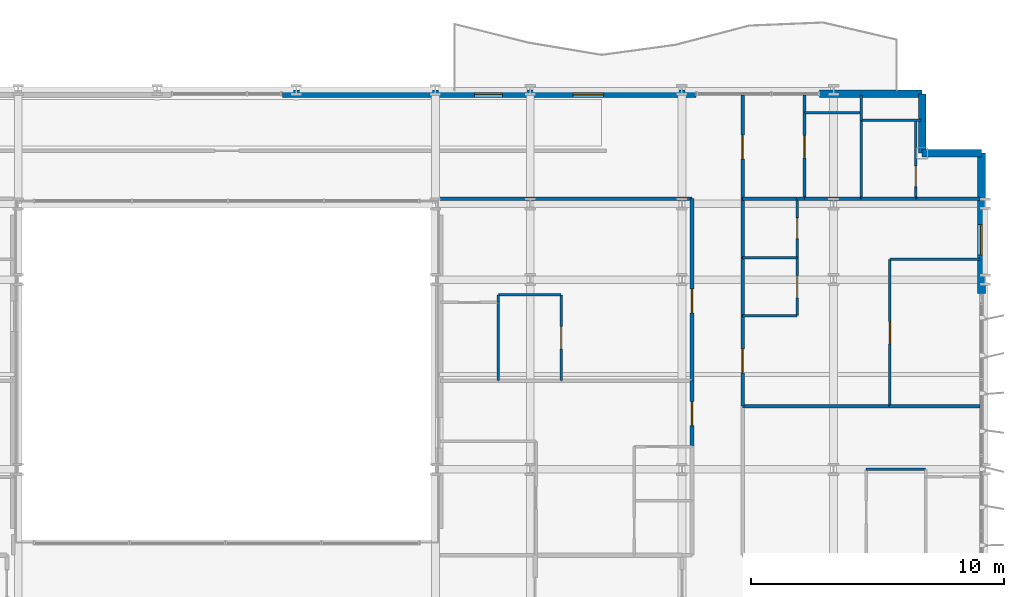
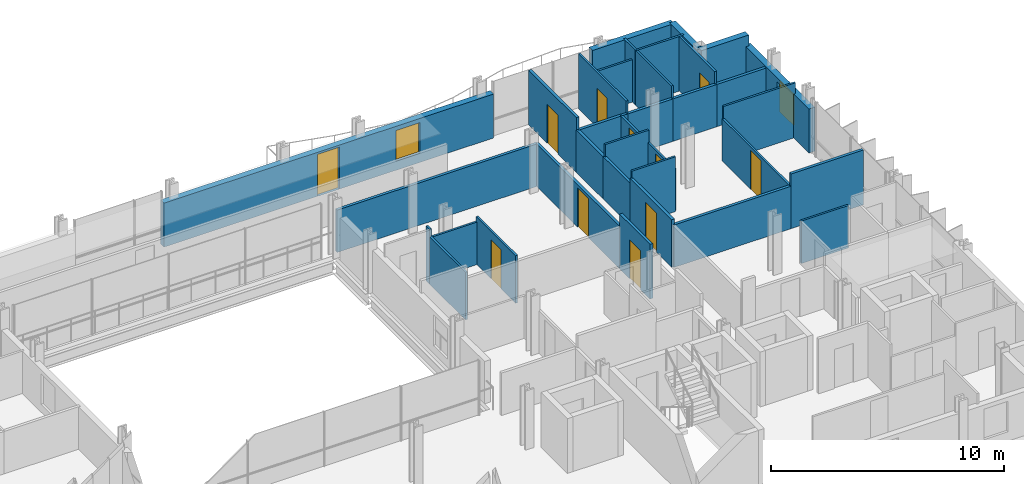
# One storey, part 32 of 38: 36 walls, 11 doors, 2 windows, 13 openings.
"""IFC4 building model written with IfcOpenShell, lengths in metres."""

from ifc_helpers import new_model, si_unit, direction, frame, frame_2d, origin, place, context, subcontext, project, spatial, rectangle, extrude, material, layer, layer_set, type_object, element, fill, save


model = new_model("IFC4")

# Units and contexts
model_context = context("Model", 3, precision=1e-05, world=origin(), true_north=direction((0.0, 1.0)))
body_context = subcontext(model_context, "Body", "Model", "MODEL_VIEW")
ifc_project = project(units=[si_unit("LENGTHUNIT", "METRE"), si_unit("AREAUNIT", "SQUARE_METRE"), si_unit("VOLUMEUNIT", "CUBIC_METRE"), si_unit("PLANEANGLEUNIT", "RADIAN"), si_unit("MASSUNIT", "GRAM", prefix="KILO")], contexts=[model_context])

# Site, building, storey
site_placement = place(None, origin())
site = spatial("IfcSite", under=ifc_project, at=site_placement, CompositionType="ELEMENT")
building_placement = place(site_placement, origin())
building = spatial("IfcBuilding", under=site, at=building_placement, Name="Brevholm Reach", CompositionType="ELEMENT")
storey_placement = place(building_placement, frame((0.0, 0.0, 52.800048828125)))
storey = spatial("IfcBuildingStorey", under=building, at=storey_placement, Name="L14", CompositionType="ELEMENT", Elevation=52.800048828125)

# Walls
ifc_material_1 = material(Name="Concrete C40/50", Category="concrete")
ifc_layer_1 = layer(ifc_material_1, 0.300048828125)
ifc_layer_set_1 = layer_set([ifc_layer_1], Name="Concrete C40/50")
wall_type_1 = type_object("IfcWallType", Name="WAL-EXT-300", PredefinedType="STANDARD", material=ifc_layer_set_1)
for number, where, z_axis, x_axis, name in (
    (1, (59.85009765625, 28.5, 0.0), (0.0, 0.0, 1.0), (-1.0, 0.0, 0.0), "L14 Facade Wall WAL-L14-CNE1"),
    (2, (57.5, 28.5, 0.0), (0.0, 0.0, 1.0), (0.0, 1.0, 0.0), "L14 Facade Wall WAL-L14-CNE2"),
):
    element("IfcWall", number, at=place(storey_placement, frame(where, z_axis=z_axis, x_axis=x_axis)), inside=storey, type_object=wall_type_1, Name=name, PredefinedType="STANDARD", context=body_context, shape_type="SweptSolid", body=[
        extrude(rectangle(XDim=2.35009765625, YDim=0.300048828125, at=frame_2d((1.175048828125, 0.0))), origin(), (0.0, 0.0, 1.0), 2.869873046875),
    ])

# Wall, opening, window
wall_1_placement = place(storey_placement, frame((59.85009765625, 22.949951171875, 0.0), z_axis=(0.0, 0.0, 1.0), x_axis=(0.0, 1.0, 0.0)))
wall_1 = element("IfcWall", 3, at=wall_1_placement, inside=storey, type_object=wall_type_1, Name="L14 Facade Wall WAL-L14-E-N", PredefinedType="STANDARD", context=body_context, shape_type="SweptSolid", body=[
    extrude(rectangle(XDim=5.550048828125, YDim=0.300048828125, at=frame_2d((2.77490234375, 0.0))), origin(), (0.0, 0.0, 1.0), 2.305419921875),
])
opening_1_placement = place(wall_1_placement, frame((1.530029296875, 0.0, 0.486083984375)))
opening_1 = element("IfcOpeningElement", 4, at=opening_1_placement, cuts=wall_1, Name="Opening WN-08", PredefinedType="OPENING", context=body_context, shape_type="SweptSolid", body=[
    extrude(rectangle(XDim=1.199951171875, YDim=1.60009765625, at=frame_2d((0.60009765625, 0.800048828125))), frame((0.0, 0.159912109375, 0.0), z_axis=(0.0, -1.0, 0.0), x_axis=(1.0, 0.0, 0.0)), (0.0, 0.0, 1.0), 0.320068359375),
])
ifc_material_2 = material(Name="Dark Anodised Aluminium and Solar-Control IGU Glass", Category="aluminium")
window_type = type_object("IfcWindowType", Name="WIN-RES-1200", PartitioningType="SINGLE_PANEL", PredefinedType="WINDOW", material=ifc_material_2)
window_1_placement = place(opening_1_placement, origin())
window_1 = element("IfcWindow", 5, at=window_1_placement, inside=storey, type_object=window_type, Name="L14 Window WIN-L14-EN-1", OverallHeight=1.60009765625, OverallWidth=1.199951171875, PartitioningType="SINGLE_PANEL", PredefinedType="WINDOW", context=body_context, shape_type="SweptSolid", body=[
    extrude(rectangle(XDim=1.199951171875, YDim=1.60009765625, at=frame_2d((0.60009765625, 0.800048828125))), frame((0.0, 0.030029296875, 0.0), z_axis=(0.0, -1.0, 0.0), x_axis=(1.0, 0.0, 0.0)), (0.0, 0.0, 1.0), 0.06005859375),
])
fill(opening_1, window_1)

# Wall
wall_2_placement = place(storey_placement, frame((53.449951171875, 30.85009765625, 0.0), z_axis=(0.0, 0.0, 1.0), x_axis=(1.0, 0.0, 0.0)))
element("IfcWall", 6, at=wall_2_placement, inside=storey, type_object=wall_type_1, Name="L14 Facade Wall WAL-L14-NP-E0", PredefinedType="STANDARD", context=body_context, shape_type="SweptSolid", body=[
    extrude(rectangle(XDim=4.050048828125, YDim=0.300048828125, at=frame_2d((2.02490234375, 0.0))), origin(), (0.0, 0.0, 1.0), 2.869873046875),
])

# Wall, openings, door, window
wall_3_placement = place(storey_placement, frame((32.199951171875, 30.85009765625, 0.0), z_axis=(0.0, 0.0, 1.0), x_axis=(1.0, 0.0, 0.0)))
wall_3 = element("IfcWall", 7, at=wall_3_placement, inside=storey, type_object=wall_type_1, Name="L14 Facade Wall WAL-L14-NP-ER", PredefinedType="STANDARD", context=body_context, shape_type="SweptSolid", body=[
    extrude(rectangle(XDim=16.35009765625, YDim=0.300048828125, at=frame_2d((8.175048828125, 0.0))), origin(), (0.0, 0.0, 1.0), 2.305419921875),
])
opening_2_placement = place(wall_3_placement, frame((7.60009765625, 0.0, 0.0)))
opening_2 = element("IfcOpeningElement", 8, at=opening_2_placement, cuts=wall_3, Name="Opening BD-01", PredefinedType="OPENING", context=body_context, shape_type="SweptSolid", body=[
    extrude(rectangle(XDim=1.10009765625, YDim=2.199951171875, at=frame_2d((0.550048828125, 1.10009765625))), frame((0.0, 0.159912109375, 0.0), z_axis=(0.0, -1.0, 0.0), x_axis=(1.0, 0.0, 0.0)), (0.0, 0.0, 1.0), 0.320068359375),
])
opening_3_placement = place(wall_3_placement, frame((11.5, 0.0, 0.486083984375)))
opening_3 = element("IfcOpeningElement", 9, at=opening_3_placement, cuts=wall_3, Name="Opening WN-08", PredefinedType="OPENING", context=body_context, shape_type="SweptSolid", body=[
    extrude(rectangle(XDim=1.199951171875, YDim=1.60009765625, at=frame_2d((0.60009765625, 0.800048828125))), frame((0.0, 0.159912109375, 0.0), z_axis=(0.0, -1.0, 0.0), x_axis=(1.0, 0.0, 0.0)), (0.0, 0.0, 1.0), 0.320068359375),
])
ifc_material_3 = material(Name="Dark Anodised Aluminium and Triple-Glazed Glass", Category="aluminium")
door_type_1 = type_object("IfcDoorType", Name="DOR-BALC-1100", OperationType="NOTDEFINED", PredefinedType="DOOR", material=ifc_material_3)
door_1_placement = place(opening_2_placement, origin())
door_1 = element("IfcDoor", 10, at=door_1_placement, inside=storey, type_object=door_type_1, Name="L14 Exterior Door DOR-L14-BL-NE", OperationType="SINGLE_SWING_LEFT", OverallHeight=2.199951171875, OverallWidth=1.10009765625, PredefinedType="DOOR", context=body_context, shape_type="SweptSolid", body=[
    extrude(rectangle(XDim=1.10009765625, YDim=2.199951171875, at=frame_2d((0.550048828125, 1.10009765625))), frame((0.0, 0.02490234375, 0.0), z_axis=(0.0, -1.0, 0.0), x_axis=(1.0, 0.0, 0.0)), (0.0, 0.0, 1.0), 0.050048828125),
])
fill(opening_2, door_1)
window_2_placement = place(opening_3_placement, origin())
window_2 = element("IfcWindow", 11, at=window_2_placement, inside=storey, type_object=window_type, Name="L14 Window WIN-L14-NP-ER1", OverallHeight=1.60009765625, OverallWidth=1.199951171875, PartitioningType="SINGLE_PANEL", PredefinedType="WINDOW", context=body_context, shape_type="SweptSolid", body=[
    extrude(rectangle(XDim=1.199951171875, YDim=1.60009765625, at=frame_2d((0.60009765625, 0.800048828125))), frame((0.0, 0.030029296875, 0.0), z_axis=(0.0, -1.0, 0.0), x_axis=(1.0, 0.0, 0.0)), (0.0, 0.0, 1.0), 0.06005859375),
])
fill(opening_3, window_2)

# Wall
ifc_material_4 = material(Name="Moisture-Resistant Acoustic Gypsum Stud Partition 100 mm", Category="gypsum")
ifc_layer_2 = layer(ifc_material_4, 0.10009765625)
ifc_layer_set_2 = layer_set([ifc_layer_2], Name="Moisture-Resistant Acoustic Gypsum Stud Partition 100 mm")
wall_type_2 = type_object("IfcWallType", Name="WAL-PRT-100", PredefinedType="PARTITIONING", material=ifc_layer_set_2)
wall_4_placement = place(storey_placement, frame((40.738037109375, 19.50390625, 0.0), z_axis=(0.0, 0.0, 1.0), x_axis=(0.0, 1.0, 0.0)))
element("IfcWall", 12, at=wall_4_placement, inside=storey, type_object=wall_type_2, Name="L14 Internal Partition 119", PredefinedType="PARTITIONING", context=body_context, shape_type="SweptSolid", body=[
    extrude(rectangle(XDim=3.09619140625, YDim=0.10009765625, at=frame_2d((1.548095703125, 0.0))), origin(), (0.0, 0.0, 1.0), 2.489990234375),
])

# Wall, opening, door
wall_5_placement = place(storey_placement, frame((43.22509765625, 19.50390625, 0.0), z_axis=(0.0, 0.0, 1.0), x_axis=(0.0, 1.0, 0.0)))
wall_5 = element("IfcWall", 13, at=wall_5_placement, inside=storey, type_object=wall_type_2, Name="L14 Internal Partition 121", PredefinedType="PARTITIONING", context=body_context, shape_type="SweptSolid", body=[
    extrude(rectangle(XDim=3.39599609375, YDim=0.10009765625, at=frame_2d((1.697998046875, 0.0))), origin(), (0.0, 0.0, 1.0), 2.489990234375),
])
opening_4_placement = place(wall_5_placement, frame((1.258056640625, 0.0, 0.0)))
opening_4 = element("IfcOpeningElement", 14, at=opening_4_placement, cuts=wall_5, Name="Opening ID-01", PredefinedType="OPENING", context=body_context, shape_type="SweptSolid", body=[
    extrude(rectangle(XDim=0.8798828125, YDim=2.0400390625, at=frame_2d((0.43994140625, 1.02001953125))), frame((0.0, 0.06005859375, 0.0), z_axis=(0.0, -1.0, 0.0), x_axis=(1.0, 0.0, 0.0)), (0.0, 0.0, 1.0), 0.1201171875),
])
ifc_material_5 = material(Name="Lacquered Ash Solid-Core Acoustic Internal Door", Category="timber")
door_type_2 = type_object("IfcDoorType", Name="DOR-INT-880", OperationType="NOTDEFINED", PredefinedType="DOOR", material=ifc_material_5)
door_2_placement = place(opening_4_placement, origin())
door_2 = element("IfcDoor", 15, at=door_2_placement, inside=storey, type_object=door_type_2, Name="L14 Internal Door 047", OperationType="SINGLE_SWING_LEFT", OverallHeight=2.0400390625, OverallWidth=0.8798828125, PredefinedType="DOOR", context=body_context, shape_type="SweptSolid", body=[
    extrude(rectangle(XDim=0.8798828125, YDim=2.0400390625, at=frame_2d((0.43994140625, 1.02001953125))), frame((0.0, 0.02490234375, 0.0), z_axis=(0.0, -1.0, 0.0), x_axis=(1.0, 0.0, 0.0)), (0.0, 0.0, 1.0), 0.050048828125),
])
fill(opening_4, door_2)

# Walls
wall_6_placement = place(storey_placement, frame((40.738037109375, 22.89990234375, 0.0), z_axis=(0.0, 0.0, 1.0), x_axis=(1.0, 0.0, 0.0)))
element("IfcWall", 16, at=wall_6_placement, inside=storey, type_object=wall_type_2, Name="L14 Internal Partition 122", PredefinedType="PARTITIONING", context=body_context, shape_type="SweptSolid", body=[
    extrude(rectangle(XDim=2.487060546875, YDim=0.10009765625, at=frame_2d((1.24365234375, 0.0))), origin(), (0.0, 0.0, 1.0), 2.224853515625),
])
wall_7_placement = place(storey_placement, frame((40.738037109375, 22.60400390625, 0.0), z_axis=(0.0, 0.0, 1.0), x_axis=(0.0, 1.0, 0.0)))
element("IfcWall", 17, at=wall_7_placement, inside=storey, type_object=wall_type_2, Name="L14 Internal Partition 123", PredefinedType="PARTITIONING", context=body_context, shape_type="SweptSolid", body=[
    extrude(rectangle(XDim=0.2958984375, YDim=0.10009765625, at=frame_2d((0.14794921875, 0.0))), origin(), (0.0, 0.0, 1.0), 2.869873046875),
])
wall_8_placement = place(storey_placement, frame((55.2880859375, 16.0, 0.0), z_axis=(0.0, 0.0, 1.0), x_axis=(1.0, 0.0, 0.0)))
element("IfcWall", 18, at=wall_8_placement, inside=storey, type_object=wall_type_2, Name="L14 Internal Partition 127", PredefinedType="PARTITIONING", context=body_context, shape_type="SweptSolid", body=[
    extrude(rectangle(XDim=2.349853515625, YDim=0.10009765625, at=frame_2d((1.1748046875, 0.0))), origin(), (0.0, 0.0, 1.0), 2.224853515625),
])
wall_9_placement = place(storey_placement, frame((50.404052734375, 24.3720703125, 0.0), z_axis=(0.0, 0.0, 1.0), x_axis=(1.0, 0.0, 0.0)))
element("IfcWall", 19, at=wall_9_placement, inside=storey, type_object=wall_type_2, Name="L14 Internal Partition 131", PredefinedType="PARTITIONING", context=body_context, shape_type="SweptSolid", body=[
    extrude(rectangle(XDim=2.157958984375, YDim=0.10009765625, at=frame_2d((1.0791015625, 0.0))), origin(), (0.0, 0.0, 1.0), 2.869873046875),
])

# Wall, opening, door
wall_10_placement = place(storey_placement, frame((52.56201171875, 24.3720703125, 0.0), z_axis=(0.0, 0.0, 1.0), x_axis=(0.0, 1.0, 0.0)))
wall_10 = element("IfcWall", 20, at=wall_10_placement, inside=storey, type_object=wall_type_2, Name="L14 Internal Partition 132", PredefinedType="PARTITIONING", context=body_context, shape_type="SweptSolid", body=[
    extrude(rectangle(XDim=2.327880859375, YDim=0.10009765625, at=frame_2d((1.1640625, 0.0))), origin(), (0.0, 0.0, 1.0), 2.224853515625),
])
opening_5_placement = place(wall_10_placement, frame((0.75390625, 0.0, 0.0)))
opening_5 = element("IfcOpeningElement", 21, at=opening_5_placement, cuts=wall_10, Name="Opening ID-03", PredefinedType="OPENING", context=body_context, shape_type="SweptSolid", body=[
    extrude(rectangle(XDim=0.820068359375, YDim=2.02001953125, at=frame_2d((0.41015625, 1.010009765625))), frame((0.0, 0.06005859375, 0.0), z_axis=(0.0, -1.0, 0.0), x_axis=(1.0, 0.0, 0.0)), (0.0, 0.0, 1.0), 0.1201171875),
])
ifc_material_6 = material(Name="Moisture-Resistant Painted Timber Internal Bathroom Door", Category="wood")
door_type_3 = type_object("IfcDoorType", Name="DOR-BATH-820", OperationType="NOTDEFINED", PredefinedType="DOOR", material=ifc_material_6)
door_3_placement = place(opening_5_placement, origin())
door_3 = element("IfcDoor", 22, at=door_3_placement, inside=storey, type_object=door_type_3, Name="L14 Internal Door 050", OperationType="SINGLE_SWING_RIGHT", OverallHeight=2.02001953125, OverallWidth=0.820068359375, PredefinedType="DOOR", context=body_context, shape_type="SweptSolid", body=[
    extrude(rectangle(XDim=0.820068359375, YDim=2.02001953125, at=frame_2d((0.41015625, 1.010009765625))), frame((0.0, 0.02490234375, 0.0), z_axis=(0.0, -1.0, 0.0), x_axis=(1.0, 0.0, 0.0)), (0.0, 0.0, 1.0), 0.050048828125),
])
fill(opening_5, door_3)

# Wall
wall_11_placement = place(storey_placement, frame((50.404052734375, 22.075927734375, 0.0), z_axis=(0.0, 0.0, 1.0), x_axis=(1.0, 0.0, 0.0)))
element("IfcWall", 23, at=wall_11_placement, inside=storey, type_object=wall_type_2, Name="L14 Internal Partition 134", PredefinedType="PARTITIONING", context=body_context, shape_type="SweptSolid", body=[
    extrude(rectangle(XDim=2.157958984375, YDim=0.10009765625, at=frame_2d((1.0791015625, 0.0))), origin(), (0.0, 0.0, 1.0), 2.869873046875),
])

# Wall, opening, door
wall_12_placement = place(storey_placement, frame((52.56201171875, 22.075927734375, 0.0), z_axis=(0.0, 0.0, 1.0), x_axis=(0.0, 1.0, 0.0)))
wall_12 = element("IfcWall", 24, at=wall_12_placement, inside=storey, type_object=wall_type_2, Name="L14 Internal Partition 135", PredefinedType="PARTITIONING", context=body_context, shape_type="SweptSolid", body=[
    extrude(rectangle(XDim=2.2919921875, YDim=0.10009765625, at=frame_2d((1.14599609375, 0.0))), origin(), (0.0, 0.0, 1.0), 2.224853515625),
])
opening_6_placement = place(wall_12_placement, frame((0.7060546875, 0.0, 0.0)))
opening_6 = element("IfcOpeningElement", 25, at=opening_6_placement, cuts=wall_12, Name="Opening ID-01", PredefinedType="OPENING", context=body_context, shape_type="SweptSolid", body=[
    extrude(rectangle(XDim=0.8798828125, YDim=2.0400390625, at=frame_2d((0.43994140625, 1.02001953125))), frame((0.0, 0.06005859375, 0.0), z_axis=(0.0, -1.0, 0.0), x_axis=(1.0, 0.0, 0.0)), (0.0, 0.0, 1.0), 0.1201171875),
])
door_4_placement = place(opening_6_placement, origin())
door_4 = element("IfcDoor", 26, at=door_4_placement, inside=storey, type_object=door_type_2, Name="L14 Internal Door 051", OperationType="SINGLE_SWING_LEFT", OverallHeight=2.0400390625, OverallWidth=0.8798828125, PredefinedType="DOOR", context=body_context, shape_type="SweptSolid", body=[
    extrude(rectangle(XDim=0.8798828125, YDim=2.0400390625, at=frame_2d((0.43994140625, 1.02001953125))), frame((0.0, 0.02490234375, 0.0), z_axis=(0.0, -1.0, 0.0), x_axis=(1.0, 0.0, 0.0)), (0.0, 0.0, 1.0), 0.050048828125),
])
fill(opening_6, door_4)

# Wall
wall_13_placement = place(storey_placement, frame((56.22802734375, 24.300048828125, 0.0), z_axis=(0.0, 0.0, 1.0), x_axis=(1.0, 0.0, 0.0)))
element("IfcWall", 27, at=wall_13_placement, inside=storey, type_object=wall_type_2, Name="L14 Internal Partition 136", PredefinedType="PARTITIONING", context=body_context, shape_type="SweptSolid", body=[
    extrude(rectangle(XDim=3.572021484375, YDim=0.10009765625, at=frame_2d((1.7861328125, 0.0))), origin(), (0.0, 0.0, 1.0), 2.869873046875),
])

# Wall, opening, door
wall_14_placement = place(storey_placement, frame((56.22802734375, 18.50390625, 0.0), z_axis=(0.0, 0.0, 1.0), x_axis=(0.0, 1.0, 0.0)))
wall_14 = element("IfcWall", 28, at=wall_14_placement, inside=storey, type_object=wall_type_2, Name="L14 Internal Partition 137", PredefinedType="PARTITIONING", context=body_context, shape_type="SweptSolid", body=[
    extrude(rectangle(XDim=5.796142578125, YDim=0.10009765625, at=frame_2d((2.89794921875, 0.0))), origin(), (0.0, 0.0, 1.0), 2.224853515625),
])
opening_7_placement = place(wall_14_placement, frame((2.4580078125, 0.0, 0.0)))
opening_7 = element("IfcOpeningElement", 29, at=opening_7_placement, cuts=wall_14, Name="Opening ID-01", PredefinedType="OPENING", context=body_context, shape_type="SweptSolid", body=[
    extrude(rectangle(XDim=0.8798828125, YDim=2.0400390625, at=frame_2d((0.43994140625, 1.02001953125))), frame((0.0, 0.06005859375, 0.0), z_axis=(0.0, -1.0, 0.0), x_axis=(1.0, 0.0, 0.0)), (0.0, 0.0, 1.0), 0.1201171875),
])
door_5_placement = place(opening_7_placement, origin())
door_5 = element("IfcDoor", 30, at=door_5_placement, inside=storey, type_object=door_type_2, Name="L14 Internal Door 052", OperationType="SINGLE_SWING_RIGHT", OverallHeight=2.0400390625, OverallWidth=0.8798828125, PredefinedType="DOOR", context=body_context, shape_type="SweptSolid", body=[
    extrude(rectangle(XDim=0.8798828125, YDim=2.0400390625, at=frame_2d((0.43994140625, 1.02001953125))), frame((0.0, 0.02490234375, 0.0), z_axis=(0.0, -1.0, 0.0), x_axis=(1.0, 0.0, 0.0)), (0.0, 0.0, 1.0), 0.050048828125),
])
fill(opening_7, door_5)

# Wall
wall_15_placement = place(storey_placement, frame((55.10009765625, 26.7041015625, 0.0), z_axis=(0.0, 0.0, 1.0), x_axis=(0.0, 1.0, 0.0)))
element("IfcWall", 31, at=wall_15_placement, inside=storey, type_object=wall_type_2, Name="L14 Internal Partition 148", PredefinedType="PARTITIONING", context=body_context, shape_type="SweptSolid", body=[
    extrude(rectangle(XDim=3.095947265625, YDim=0.10009765625, at=frame_2d((1.5478515625, 0.0))), origin(), (0.0, 0.0, 1.0), 2.869873046875),
])

# Wall, opening, door
wall_16_placement = place(storey_placement, frame((57.25, 26.7041015625, 0.0), z_axis=(0.0, 0.0, 1.0), x_axis=(0.0, 1.0, 0.0)))
wall_16 = element("IfcWall", 32, at=wall_16_placement, inside=storey, type_object=wall_type_2, Name="L14 Internal Partition 149", PredefinedType="PARTITIONING", context=body_context, shape_type="SweptSolid", body=[
    extrude(rectangle(XDim=3.095947265625, YDim=0.10009765625, at=frame_2d((1.5478515625, 0.0))), origin(), (0.0, 0.0, 1.0), 2.869873046875),
])
opening_8_placement = place(wall_16_placement, frame((0.47802734375, 0.0, 0.0)))
opening_8 = element("IfcOpeningElement", 33, at=opening_8_placement, cuts=wall_16, Name="Opening ID-03", PredefinedType="OPENING", context=body_context, shape_type="SweptSolid", body=[
    extrude(rectangle(XDim=0.820068359375, YDim=2.02001953125, at=frame_2d((0.41015625, 1.010009765625))), frame((0.0, 0.06005859375, 0.0), z_axis=(0.0, -1.0, 0.0), x_axis=(1.0, 0.0, 0.0)), (0.0, 0.0, 1.0), 0.1201171875),
])
door_6_placement = place(opening_8_placement, origin())
door_6 = element("IfcDoor", 34, at=door_6_placement, inside=storey, type_object=door_type_3, Name="L14 Internal Door 055", OperationType="SINGLE_SWING_LEFT", OverallHeight=2.02001953125, OverallWidth=0.820068359375, PredefinedType="DOOR", context=body_context, shape_type="SweptSolid", body=[
    extrude(rectangle(XDim=0.820068359375, YDim=2.02001953125, at=frame_2d((0.41015625, 1.010009765625))), frame((0.0, 0.02490234375, 0.0), z_axis=(0.0, -1.0, 0.0), x_axis=(1.0, 0.0, 0.0)), (0.0, 0.0, 1.0), 0.050048828125),
])
fill(opening_8, door_6)

# Walls
wall_17_placement = place(storey_placement, frame((55.10009765625, 29.800048828125, 0.0), z_axis=(0.0, 0.0, 1.0), x_axis=(1.0, 0.0, 0.0)))
element("IfcWall", 35, at=wall_17_placement, inside=storey, type_object=wall_type_2, Name="L14 Internal Partition 150", PredefinedType="PARTITIONING", context=body_context, shape_type="SweptSolid", body=[
    extrude(rectangle(XDim=2.349853515625, YDim=0.10009765625, at=frame_2d((1.1748046875, 0.0))), origin(), (0.0, 0.0, 1.0), 2.869873046875),
])
wall_18_placement = place(storey_placement, frame((55.10009765625, 29.803955078125, 0.0), z_axis=(0.0, 0.0, 1.0), x_axis=(0.0, 1.0, 0.0)))
element("IfcWall", 36, at=wall_18_placement, inside=storey, type_object=wall_type_2, Name="L14 Internal Partition 151", PredefinedType="PARTITIONING", context=body_context, shape_type="SweptSolid", body=[
    extrude(rectangle(XDim=0.99609375, YDim=0.10009765625, at=frame_2d((0.498046875, 0.0))), origin(), (0.0, 0.0, 1.0), 2.869873046875),
])
wall_19_placement = place(storey_placement, frame((52.85009765625, 30.10009765625, 0.0), z_axis=(0.0, 0.0, 1.0), x_axis=(1.0, 0.0, 0.0)))
element("IfcWall", 37, at=wall_19_placement, inside=storey, type_object=wall_type_2, Name="L14 Internal Partition 152", PredefinedType="PARTITIONING", context=body_context, shape_type="SweptSolid", body=[
    extrude(rectangle(XDim=2.25, YDim=0.10009765625, at=frame_2d((1.125, 0.0))), origin(), (0.0, 0.0, 1.0), 2.224853515625),
])

# Wall, opening, door
wall_20_placement = place(storey_placement, frame((52.85009765625, 26.7041015625, 0.0), z_axis=(0.0, 0.0, 1.0), x_axis=(0.0, 1.0, 0.0)))
wall_20 = element("IfcWall", 38, at=wall_20_placement, inside=storey, type_object=wall_type_2, Name="L14 Internal Partition 153", PredefinedType="PARTITIONING", context=body_context, shape_type="SweptSolid", body=[
    extrude(rectangle(XDim=4.095947265625, YDim=0.10009765625, at=frame_2d((2.0478515625, 0.0))), origin(), (0.0, 0.0, 1.0), 2.869873046875),
])
opening_9_placement = place(wall_20_placement, frame((1.60791015625, 0.0, 0.0)))
opening_9 = element("IfcOpeningElement", 39, at=opening_9_placement, cuts=wall_20, Name="Opening ID-01", PredefinedType="OPENING", context=body_context, shape_type="SweptSolid", body=[
    extrude(rectangle(XDim=0.8798828125, YDim=2.0400390625, at=frame_2d((0.43994140625, 1.02001953125))), frame((0.0, 0.06005859375, 0.0), z_axis=(0.0, -1.0, 0.0), x_axis=(1.0, 0.0, 0.0)), (0.0, 0.0, 1.0), 0.1201171875),
])
door_7_placement = place(opening_9_placement, origin())
door_7 = element("IfcDoor", 40, at=door_7_placement, inside=storey, type_object=door_type_2, Name="L14 Internal Door 056", OperationType="SINGLE_SWING_RIGHT", OverallHeight=2.0400390625, OverallWidth=0.8798828125, PredefinedType="DOOR", context=body_context, shape_type="SweptSolid", body=[
    extrude(rectangle(XDim=0.8798828125, YDim=2.0400390625, at=frame_2d((0.43994140625, 1.02001953125))), frame((0.0, 0.02490234375, 0.0), z_axis=(0.0, -1.0, 0.0), x_axis=(1.0, 0.0, 0.0)), (0.0, 0.0, 1.0), 0.050048828125),
])
fill(opening_9, door_7)

ifc_material_7 = material(Name="Twin-Stud Acoustic Fire-Rated Gypsum Partition 140 mm", Category="gypsum")
ifc_layer_3 = layer(ifc_material_7, 0.139892578125)
ifc_layer_set_3 = layer_set([ifc_layer_3], Name="Twin-Stud Acoustic Fire-Rated Gypsum Partition 140 mm")
wall_type_3 = type_object("IfcWallType", Name="WAL-PRT-140", PredefinedType="PARTITIONING", material=ifc_layer_set_3)
wall_21_placement = place(storey_placement, frame((48.39990234375, 16.892578125, 0.0), z_axis=(0.0, 0.0, 1.0), x_axis=(0.0, 1.0, 0.0)))
wall_21 = element("IfcWall", 41, at=wall_21_placement, inside=storey, type_object=wall_type_3, Name="L14 Internal Partition 045", PredefinedType="PARTITIONING", context=body_context, shape_type="SweptSolid", body=[
    extrude(rectangle(XDim=2.61865234375, YDim=0.139892578125, at=frame_2d((1.309326171875, 0.0))), origin(), (0.0, 0.0, 1.0), 2.869873046875),
])
opening_10_placement = place(wall_21_placement, frame((0.834228515625, 0.0, 0.0)))
opening_10 = element("IfcOpeningElement", 42, at=opening_10_placement, cuts=wall_21, Name="Opening ID-30", PredefinedType="OPENING", context=body_context, shape_type="SweptSolid", body=[
    extrude(rectangle(XDim=0.949951171875, YDim=2.050048828125, at=frame_2d((0.47509765625, 1.02490234375))), frame((0.0, 0.079833984375, 0.0), z_axis=(0.0, -1.0, 0.0), x_axis=(1.0, 0.0, 0.0)), (0.0, 0.0, 1.0), 0.159912109375),
])
ifc_material_8 = material(Name="European Oak Veneered Solid-Core Fire Entrance Door", Category="timber")
door_type_4 = type_object("IfcDoorType", Name="DOR-FLT-FD30S", OperationType="NOTDEFINED", PredefinedType="DOOR", material=ifc_material_8)
door_8_placement = place(opening_10_placement, origin())
door_8 = element("IfcDoor", 43, at=door_8_placement, inside=storey, type_object=door_type_4, Name="L14 Internal Door 022", OperationType="SINGLE_SWING_RIGHT", OverallHeight=2.050048828125, OverallWidth=0.949951171875, PredefinedType="DOOR", context=body_context, shape_type="SweptSolid", body=[
    extrude(rectangle(XDim=0.949951171875, YDim=2.050048828125, at=frame_2d((0.47509765625, 1.02490234375))), frame((0.0, 0.02490234375, 0.0), z_axis=(0.0, -1.0, 0.0), x_axis=(1.0, 0.0, 0.0)), (0.0, 0.0, 1.0), 0.050048828125),
])
fill(opening_10, door_8)

wall_22_placement = place(storey_placement, frame((48.39990234375, 19.49267578125, 0.0), z_axis=(0.0, 0.0, 1.0), x_axis=(0.0, 1.0, 0.0)))
wall_22 = element("IfcWall", 44, at=wall_22_placement, inside=storey, type_object=wall_type_3, Name="L14 Internal Partition 046", PredefinedType="PARTITIONING", context=body_context, shape_type="SweptSolid", body=[
    extrude(rectangle(XDim=7.214599609375, YDim=0.139892578125, at=frame_2d((3.607421875, 0.0))), origin(), (0.0, 0.0, 1.0), 2.224853515625),
])
opening_11_placement = place(wall_22_placement, frame((2.6923828125, 0.0, 0.0)))
opening_11 = element("IfcOpeningElement", 45, at=opening_11_placement, cuts=wall_22, Name="Opening ID-30", PredefinedType="OPENING", context=body_context, shape_type="SweptSolid", body=[
    extrude(rectangle(XDim=0.949951171875, YDim=2.050048828125, at=frame_2d((0.47509765625, 1.02490234375))), frame((0.0, 0.079833984375, 0.0), z_axis=(0.0, -1.0, 0.0), x_axis=(1.0, 0.0, 0.0)), (0.0, 0.0, 1.0), 0.159912109375),
])
door_9_placement = place(opening_11_placement, origin())
door_9 = element("IfcDoor", 46, at=door_9_placement, inside=storey, type_object=door_type_4, Name="L14 Internal Door 023", OperationType="SINGLE_SWING_LEFT", OverallHeight=2.050048828125, OverallWidth=0.949951171875, PredefinedType="DOOR", context=body_context, shape_type="SweptSolid", body=[
    extrude(rectangle(XDim=0.949951171875, YDim=2.050048828125, at=frame_2d((0.47509765625, 1.02490234375))), frame((0.0, 0.02490234375, 0.0), z_axis=(0.0, -1.0, 0.0), x_axis=(1.0, 0.0, 0.0)), (0.0, 0.0, 1.0), 0.050048828125),
])
fill(opening_11, door_9)

# Walls
wall_23_placement = place(storey_placement, frame((50.39990234375, 24.360595703125, 0.0), z_axis=(0.0, 0.0, 1.0), x_axis=(0.0, 1.0, 0.0)))
element("IfcWall", 47, at=wall_23_placement, inside=storey, type_object=wall_type_3, Name="L14 Internal Partition 048", PredefinedType="PARTITIONING", context=body_context, shape_type="SweptSolid", body=[
    extrude(rectangle(XDim=2.3505859375, YDim=0.139892578125, at=frame_2d((1.17529296875, 0.0))), origin(), (0.0, 0.0, 1.0), 2.224853515625),
])
wall_24_placement = place(storey_placement, frame((50.39990234375, 22.064697265625, 0.0), z_axis=(0.0, 0.0, 1.0), x_axis=(0.0, 1.0, 0.0)))
element("IfcWall", 48, at=wall_24_placement, inside=storey, type_object=wall_type_3, Name="L14 Internal Partition 049", PredefinedType="PARTITIONING", context=body_context, shape_type="SweptSolid", body=[
    extrude(rectangle(XDim=2.314697265625, YDim=0.139892578125, at=frame_2d((1.1572265625, 0.0))), origin(), (0.0, 0.0, 1.0), 2.224853515625),
])

# Wall, opening, door
wall_25_placement = place(storey_placement, frame((50.39990234375, 18.49267578125, 0.0), z_axis=(0.0, 0.0, 1.0), x_axis=(0.0, 1.0, 0.0)))
wall_25 = element("IfcWall", 49, at=wall_25_placement, inside=storey, type_object=wall_type_3, Name="L14 Internal Partition 050", PredefinedType="PARTITIONING", context=body_context, shape_type="SweptSolid", body=[
    extrude(rectangle(XDim=3.590576171875, YDim=0.139892578125, at=frame_2d((1.79541015625, 0.0))), origin(), (0.0, 0.0, 1.0), 2.489990234375),
])
opening_12_placement = place(wall_25_placement, frame((1.3203125, 0.0, 0.0)))
opening_12 = element("IfcOpeningElement", 50, at=opening_12_placement, cuts=wall_25, Name="Opening ID-30", PredefinedType="OPENING", context=body_context, shape_type="SweptSolid", body=[
    extrude(rectangle(XDim=0.949951171875, YDim=2.050048828125, at=frame_2d((0.47509765625, 1.02490234375))), frame((0.0, 0.079833984375, 0.0), z_axis=(0.0, -1.0, 0.0), x_axis=(1.0, 0.0, 0.0)), (0.0, 0.0, 1.0), 0.159912109375),
])
door_10_placement = place(opening_12_placement, origin())
door_10 = element("IfcDoor", 51, at=door_10_placement, inside=storey, type_object=door_type_4, Name="L14 Internal Door 024", OperationType="SINGLE_SWING_RIGHT", OverallHeight=2.050048828125, OverallWidth=0.949951171875, PredefinedType="DOOR", context=body_context, shape_type="SweptSolid", body=[
    extrude(rectangle(XDim=0.949951171875, YDim=2.050048828125, at=frame_2d((0.47509765625, 1.02490234375))), frame((0.0, 0.02490234375, 0.0), z_axis=(0.0, -1.0, 0.0), x_axis=(1.0, 0.0, 0.0)), (0.0, 0.0, 1.0), 0.050048828125),
])
fill(opening_12, door_10)

wall_26_placement = place(storey_placement, frame((50.39990234375, 26.692626953125, 0.0), z_axis=(0.0, 0.0, 1.0), x_axis=(0.0, 1.0, 0.0)))
wall_26 = element("IfcWall", 52, at=wall_26_placement, inside=storey, type_object=wall_type_3, Name="L14 Internal Partition 051", PredefinedType="PARTITIONING", context=body_context, shape_type="SweptSolid", body=[
    extrude(rectangle(XDim=4.107421875, YDim=0.139892578125, at=frame_2d((2.0537109375, 0.0))), origin(), (0.0, 0.0, 1.0), 2.869873046875),
])
opening_13_placement = place(wall_26_placement, frame((1.57861328125, 0.0, 0.0)))
opening_13 = element("IfcOpeningElement", 53, at=opening_13_placement, cuts=wall_26, Name="Opening ID-30", PredefinedType="OPENING", context=body_context, shape_type="SweptSolid", body=[
    extrude(rectangle(XDim=0.949951171875, YDim=2.050048828125, at=frame_2d((0.47509765625, 1.02490234375))), frame((0.0, 0.079833984375, 0.0), z_axis=(0.0, -1.0, 0.0), x_axis=(1.0, 0.0, 0.0)), (0.0, 0.0, 1.0), 0.159912109375),
])
door_11_placement = place(opening_13_placement, origin())
door_11 = element("IfcDoor", 54, at=door_11_placement, inside=storey, type_object=door_type_4, Name="L14 Internal Door 025", OperationType="SINGLE_SWING_LEFT", OverallHeight=2.050048828125, OverallWidth=0.949951171875, PredefinedType="DOOR", context=body_context, shape_type="SweptSolid", body=[
    extrude(rectangle(XDim=0.949951171875, YDim=2.050048828125, at=frame_2d((0.47509765625, 1.02490234375))), frame((0.0, 0.02490234375, 0.0), z_axis=(0.0, -1.0, 0.0), x_axis=(1.0, 0.0, 0.0)), (0.0, 0.0, 1.0), 0.050048828125),
])
fill(opening_13, door_11)

# Walls
wall_27_placement = place(storey_placement, frame((38.438720703125, 26.699951171875, 0.0), z_axis=(0.0, 0.0, 1.0), x_axis=(1.0, 0.0, 0.0)))
element("IfcWall", 55, at=wall_27_placement, inside=storey, type_object=wall_type_3, Name="L14 Internal Partition 054", PredefinedType="PARTITIONING", context=body_context, shape_type="SweptSolid", body=[
    extrude(rectangle(XDim=9.957275390625, YDim=0.139892578125, at=frame_2d((4.978515625, 0.0))), origin(), (0.0, 0.0, 1.0), 2.224853515625),
])
wall_28_placement = place(storey_placement, frame((56.216796875, 18.5, 0.0), z_axis=(0.0, 0.0, 1.0), x_axis=(1.0, 0.0, 0.0)))
element("IfcWall", 56, at=wall_28_placement, inside=storey, type_object=wall_type_3, Name="L14 Internal Partition 129", PredefinedType="PARTITIONING", context=body_context, shape_type="SweptSolid", body=[
    extrude(rectangle(XDim=3.583251953125, YDim=0.139892578125, at=frame_2d((1.79150390625, 0.0))), origin(), (0.0, 0.0, 1.0), 2.869873046875),
])
wall_29_placement = place(storey_placement, frame((50.404052734375, 18.5, 0.0), z_axis=(0.0, 0.0, 1.0), x_axis=(1.0, 0.0, 0.0)))
element("IfcWall", 57, at=wall_29_placement, inside=storey, type_object=wall_type_3, Name="L14 Internal Partition 130", PredefinedType="PARTITIONING", context=body_context, shape_type="SweptSolid", body=[
    extrude(rectangle(XDim=5.831298828125, YDim=0.139892578125, at=frame_2d((2.91552734375, 0.0))), origin(), (0.0, 0.0, 1.0), 2.224853515625),
])
wall_30_placement = place(storey_placement, frame((50.404052734375, 26.699951171875, 0.0), z_axis=(0.0, 0.0, 1.0), x_axis=(1.0, 0.0, 0.0)))
element("IfcWall", 58, at=wall_30_placement, inside=storey, type_object=wall_type_3, Name="L14 Internal Partition 133", PredefinedType="PARTITIONING", context=body_context, shape_type="SweptSolid", body=[
    extrude(rectangle(XDim=2.157958984375, YDim=0.139892578125, at=frame_2d((1.0791015625, 0.0))), origin(), (0.0, 0.0, 1.0), 2.224853515625),
])
wall_31_placement = place(storey_placement, frame((55.088623046875, 26.699951171875, 0.0), z_axis=(0.0, 0.0, 1.0), x_axis=(1.0, 0.0, 0.0)))
element("IfcWall", 59, at=wall_31_placement, inside=storey, type_object=wall_type_3, Name="L14 Internal Partition 138", PredefinedType="PARTITIONING", context=body_context, shape_type="SweptSolid", body=[
    extrude(rectangle(XDim=2.172607421875, YDim=0.139892578125, at=frame_2d((1.08642578125, 0.0))), origin(), (0.0, 0.0, 1.0), 2.224853515625),
])
wall_32_placement = place(storey_placement, frame((52.838623046875, 26.699951171875, 0.0), z_axis=(0.0, 0.0, 1.0), x_axis=(1.0, 0.0, 0.0)))
element("IfcWall", 60, at=wall_32_placement, inside=storey, type_object=wall_type_3, Name="L14 Internal Partition 139", PredefinedType="PARTITIONING", context=body_context, shape_type="SweptSolid", body=[
    extrude(rectangle(XDim=2.268798828125, YDim=0.139892578125, at=frame_2d((1.13427734375, 0.0))), origin(), (0.0, 0.0, 1.0), 2.224853515625),
])
wall_33_placement = place(storey_placement, frame((57.24267578125, 26.699951171875, 0.0), z_axis=(0.0, 0.0, 1.0), x_axis=(1.0, 0.0, 0.0)))
element("IfcWall", 61, at=wall_33_placement, inside=storey, type_object=wall_type_3, Name="L14 Internal Partition 140", PredefinedType="PARTITIONING", context=body_context, shape_type="SweptSolid", body=[
    extrude(rectangle(XDim=2.557373046875, YDim=0.139892578125, at=frame_2d((1.27880859375, 0.0))), origin(), (0.0, 0.0, 1.0), 2.224853515625),
])
wall_34_placement = place(storey_placement, frame((52.56591796875, 26.699951171875, 0.0), z_axis=(0.0, 0.0, 1.0), x_axis=(1.0, 0.0, 0.0)))
element("IfcWall", 62, at=wall_34_placement, inside=storey, type_object=wall_type_3, Name="L14 Internal Partition 141", PredefinedType="PARTITIONING", context=body_context, shape_type="SweptSolid", body=[
    extrude(rectangle(XDim=0.29150390625, YDim=0.139892578125, at=frame_2d((0.145751953125, 0.0))), origin(), (0.0, 0.0, 1.0), 2.224853515625),
])

save(model, "model.ifc")
